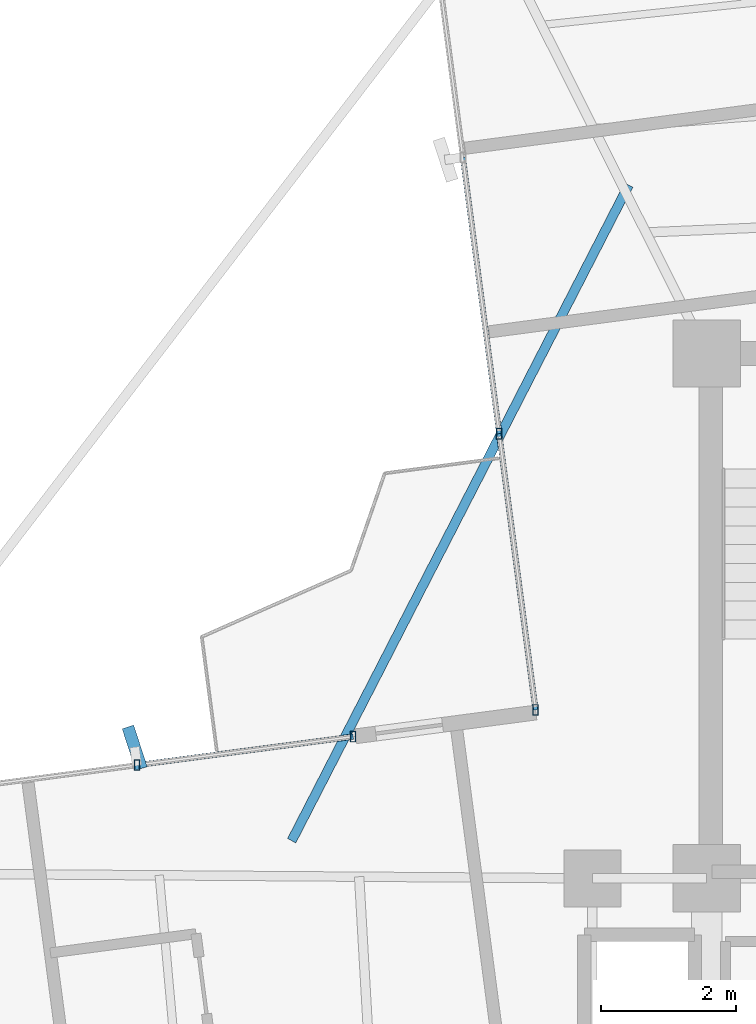
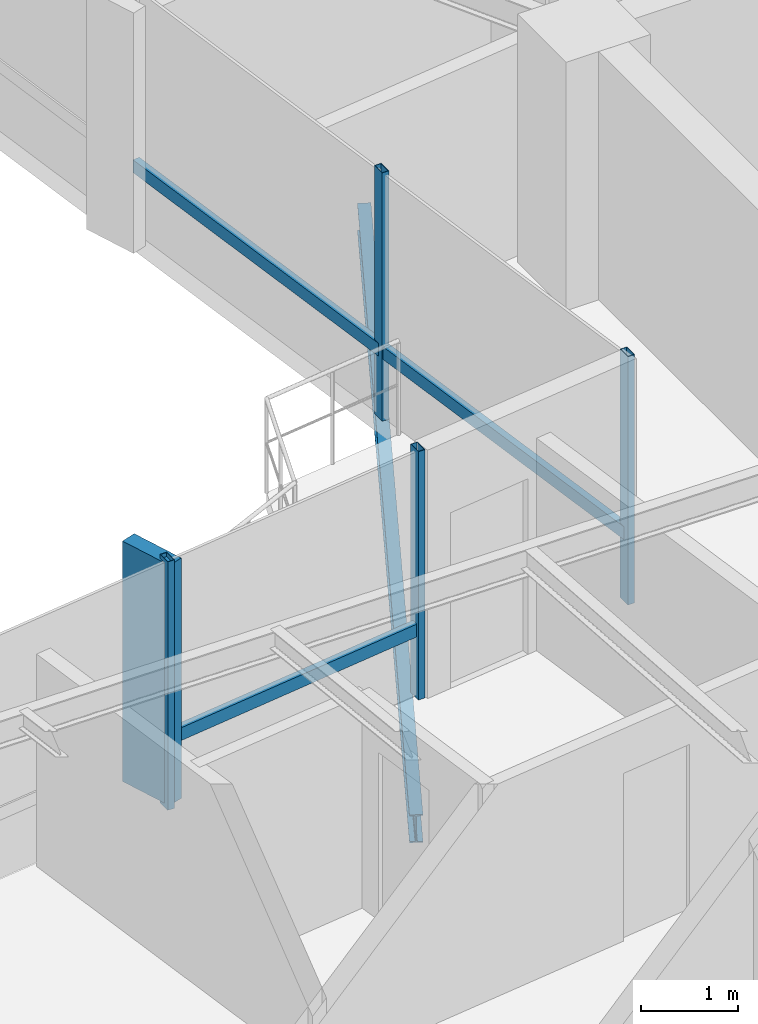
# One storey, part 8 of 22: 8 members, 1 beam, 2 elements without a shape of their own.
"""IFC4 building model written with IfcOpenShell, lengths in metres."""

from ifc_helpers import new_model, si_unit, direction, frame, origin, origin_2d, place, context, subcontext, project, spatial, rectangle, hollow_rectangle, i_section, extrude, source, transform, mapped, material, material_profile, profile_set, type_object, element, aggregate, save


model = new_model("IFC4")

# Units and contexts
model_context = context("Model", 3, precision=1e-05, world=origin(), true_north=direction((0.0, 1.0)))
body_context = subcontext(model_context, "Body", "Model", "MODEL_VIEW")
ifc_project = project(units=[si_unit("LENGTHUNIT", "METRE"), si_unit("AREAUNIT", "SQUARE_METRE"), si_unit("VOLUMEUNIT", "CUBIC_METRE"), si_unit("PLANEANGLEUNIT", "RADIAN"), si_unit("MASSUNIT", "GRAM", prefix="KILO")], contexts=[model_context])

# Site, building, storey
site_placement = place(None, origin())
site = spatial("IfcSite", under=ifc_project, at=site_placement, CompositionType="ELEMENT")
building_placement = place(site_placement, origin())
building = spatial("IfcBuilding", under=site, at=building_placement, Name="Sahyath Konkavel Grand Hotel", CompositionType="ELEMENT")
storey_placement = place(building_placement, frame((0.0, 0.0, 206.5)))
storey = spatial("IfcBuildingStorey", under=building, at=storey_placement, Name="L57", CompositionType="ELEMENT", Elevation=206.5)

# Curtain wall, member
ifc_material_1 = material(Name="Anodised Bronze Aluminium & Low-E Glazing", Category="aluminium")
curtain_wall_type = type_object("IfcCurtainWallType", Name="CW-ZONE4", PredefinedType="NOTDEFINED", material=ifc_material_1)
curtain_wall_1_placement = place(storey_placement, origin())
curtain_wall_1 = element("IfcCurtainWall", 1, at=curtain_wall_1_placement, inside=storey, type_object=curtain_wall_type, Name="L57 Unitised Curtain Wall F16", PredefinedType="NOTDEFINED")
ifc_material_2 = material(Name="Warm Buff Sandstone Cladding on Concrete C50/60", Category="masonry")
ifc_material_profile_1 = material_profile(ifc_material_2, rectangle(XDim=0.179931640625, YDim=0.64990234375, at=origin_2d()), Name="FIN 180x650")
ifc_profile_set_1 = profile_set([ifc_material_profile_1], Name="Warm Buff Sandstone Cladding on Concrete C50/60")
member_type_1 = type_object("IfcMemberType", Name="FIN-SANDSTONE-650", PredefinedType="MULLION", material=ifc_profile_set_1)
shared_shape_1 = source(origin(), body_context, "Body", "SweptSolid", [
    extrude(rectangle(XDim=0.179931640625, YDim=0.64990234375, at=origin_2d()), origin(), (0.0, 0.0, 1.0), 3.010009765625),
])
member_1_placement = place(storey_placement, frame((-12.302001953125, 4.341552734375, 0.050048828125), z_axis=(0.0, 0.0, 1.0), x_axis=(0.951110435449, 0.308850998993, 0.0)))
member_1 = element("IfcMember", 2, at=member_1_placement, type_object=member_type_1, Name="L57 Sandstone Vertical Solar Fin FIN F16-1", PredefinedType="MULLION", context=body_context, shape_type="MappedRepresentation", body=[
    mapped(shared_shape_1, transform((0.0, 0.0, 0.0), scale=1.0)),
])

# Curtain wall, members
curtain_wall_2_placement = place(storey_placement, origin())
curtain_wall_2 = element("IfcCurtainWall", 3, at=curtain_wall_2_placement, inside=storey, type_object=curtain_wall_type, Name="L57 Unitised Curtain Wall F15", PredefinedType="NOTDEFINED")
ifc_material_3 = material(Name="Anodised Bronze Aluminium", Category="aluminium")
ifc_material_profile_2 = material_profile(ifc_material_3, hollow_rectangle(XDim=0.080078125, YDim=0.159912109375, WallThickness=0.006103515625, at=origin_2d()), Name="RHS 160x80x6")
ifc_profile_set_2 = profile_set([ifc_material_profile_2], Name="Anodised Bronze Aluminium")
member_type_2 = type_object("IfcMemberType", Name="CW-MUL-160", PredefinedType="MULLION", material=ifc_profile_set_2)
shared_shape_2 = source(origin(), body_context, "Body", "SweptSolid", [
    extrude(hollow_rectangle(XDim=0.080078125, YDim=0.159912109375, WallThickness=0.006103515625, at=origin_2d()), origin(), (0.0, 0.0, 1.0), 3.110107421875),
])
member_2_placement = place(storey_placement, frame((-6.884765625, 9.008544921875, 0.0), z_axis=(0.0, 0.0, 1.0), x_axis=(1.0, 0.0, 0.0)))
member_2 = element("IfcMember", 4, at=member_2_placement, type_object=member_type_2, Name="L57 Curtain Wall Mullion F15-2", PredefinedType="MULLION", context=body_context, shape_type="MappedRepresentation", body=[
    mapped(shared_shape_2, transform((0.0, 0.0, 0.0), scale=1.0)),
])
member_3_placement = place(storey_placement, frame((-6.34423828125, 4.90380859375, 0.0), z_axis=(0.0, 0.0, 1.0), x_axis=(1.0, 0.0, 0.0)))
member_3 = element("IfcMember", 5, at=member_3_placement, type_object=member_type_2, Name="L57 Curtain Wall Mullion F15-3", PredefinedType="MULLION", context=body_context, shape_type="MappedRepresentation", body=[
    mapped(shared_shape_2, transform((0.0, 0.0, 0.0), scale=1.0)),
])

# Member
member_4_placement = place(storey_placement, frame((-9.0556640625, 4.506591796875, 0.0), z_axis=(0.0, 0.0, 1.0), x_axis=(1.0, 0.0, 0.0)))
member_4 = element("IfcMember", 6, at=member_4_placement, type_object=member_type_2, Name="L57 Curtain Wall Mullion F16-0", PredefinedType="MULLION", context=body_context, shape_type="MappedRepresentation", body=[
    mapped(shared_shape_2, transform((0.0, 0.0, 0.0), scale=1.0)),
])

member_5_placement = place(storey_placement, frame((-12.26806640625, 4.083740234375, 0.0), z_axis=(0.0, 0.0, 1.0), x_axis=(1.0, 0.0, 0.0)))
member_5 = element("IfcMember", 7, at=member_5_placement, type_object=member_type_2, Name="L57 Curtain Wall Mullion F16-1", PredefinedType="MULLION", context=body_context, shape_type="MappedRepresentation", body=[
    mapped(shared_shape_2, transform((0.0, 0.0, 0.0), scale=1.0)),
])

# Beam
ifc_material_4 = material(Name="Steel E350", Category="steel")
ifc_material_profile_3 = material_profile(ifc_material_4, i_section(OverallWidth=0.139892578125, OverallDepth=0.35009765625, WebThickness=0.008056640625, FlangeThickness=0.01416015625, FilletRadius=0.013916015625, at=origin_2d()), Name="ISMB 350")
ifc_profile_set_3 = profile_set([ifc_material_profile_3], Name="Steel E350")
beam_type = type_object("IfcBeamType", Name="BM-BALC-CANT", PredefinedType="BEAM", material=ifc_profile_set_3)
shared_shape_3 = source(origin(), body_context, "Body", "SweptSolid", [
    extrude(i_section(OverallWidth=0.139892578125, OverallDepth=0.35009765625, WebThickness=0.008056640625, FlangeThickness=0.01416015625, FilletRadius=0.013916015625, at=origin_2d()), origin(), (0.0, 0.0, 1.0), 10.95556640625),
])
beam_placement = place(storey_placement, frame((-4.959716796875, 12.703125, -0.4150390625), z_axis=(-0.457186878355, -0.889370652912, 0.0), x_axis=(0.889370652912, -0.457186878355, 0.0)))
element("IfcBeam", 8, at=beam_placement, inside=storey, type_object=beam_type, Name="L57 Balcony Cantilever Support Beam NW", PredefinedType="BEAM", context=body_context, shape_type="MappedRepresentation", body=[
    mapped(shared_shape_3, transform((0.0, 0.0, 0.0), scale=1.0)),
])

# Member
ifc_material_profile_4 = material_profile(ifc_material_3, hollow_rectangle(XDim=0.080078125, YDim=0.159912109375, WallThickness=0.006103515625, at=origin_2d()), Name="RHS 160x80x6")
ifc_profile_set_4 = profile_set([ifc_material_profile_4], Name="Anodised Bronze Aluminium")
member_type_3 = type_object("IfcMemberType", Name="CW-TRN-160", PredefinedType="USERDEFINED", material=ifc_profile_set_4)
shared_shape_4 = source(origin(), body_context, "Body", "SweptSolid", [
    extrude(hollow_rectangle(XDim=0.080078125, YDim=0.159912109375, WallThickness=0.006103515625, at=origin_2d()), origin(), (0.0, 0.0, 1.0), 3.240234375),
])
member_6_placement = place(storey_placement, frame((-9.0556640625, 4.506591796875, 0.85009765625), z_axis=(-0.991447626157, -0.130505189885, 0.0), x_axis=(0.130505189885, -0.991447626157, 0.0)))
member_6 = element("IfcMember", 9, at=member_6_placement, type_object=member_type_3, Name="L57 Curtain Wall Transom F16-0-spandrel", ObjectType="TRANSOM", PredefinedType="USERDEFINED", context=body_context, shape_type="MappedRepresentation", body=[
    mapped(shared_shape_4, transform((0.0, 0.0, 0.0), scale=1.0)),
])

aggregate(curtain_wall_1, [member_4, member_5, member_1, member_6])

shared_shape_5 = source(origin(), body_context, "Body", "SweptSolid", [
    extrude(hollow_rectangle(XDim=0.080078125, YDim=0.159912109375, WallThickness=0.006103515625, at=origin_2d()), origin(), (0.0, 0.0, 1.0), 4.139892578125),
])
member_7_placement = place(storey_placement, frame((-7.425048828125, 13.113037109375, 0.85009765625), z_axis=(0.130506379383, -0.991447469582, 0.0), x_axis=(0.991447469582, 0.130506379383, 0.0)))
member_7 = element("IfcMember", 10, at=member_7_placement, type_object=member_type_3, Name="L57 Curtain Wall Transom F15-1-spandrel", ObjectType="TRANSOM", PredefinedType="USERDEFINED", context=body_context, shape_type="MappedRepresentation", body=[
    mapped(shared_shape_5, transform((0.0, 0.0, 0.0), scale=1.0)),
])

shared_shape_6 = source(origin(), body_context, "Body", "SweptSolid", [
    extrude(hollow_rectangle(XDim=0.080078125, YDim=0.159912109375, WallThickness=0.006103515625, at=origin_2d()), origin(), (0.0, 0.0, 1.0), 4.14013671875),
])
member_8_placement = place(storey_placement, frame((-6.884765625, 9.008544921875, 0.85009765625), z_axis=(0.130556713596, -0.99144084268, 0.0), x_axis=(0.99144084268, 0.130556713596, 0.0)))
member_8 = element("IfcMember", 11, at=member_8_placement, type_object=member_type_3, Name="L57 Curtain Wall Transom F15-2-spandrel", ObjectType="TRANSOM", PredefinedType="USERDEFINED", context=body_context, shape_type="MappedRepresentation", body=[
    mapped(shared_shape_6, transform((0.0, 0.0, 0.0), scale=1.0)),
])

aggregate(curtain_wall_2, [member_2, member_3, member_7, member_8])

save(model, "model.ifc")
